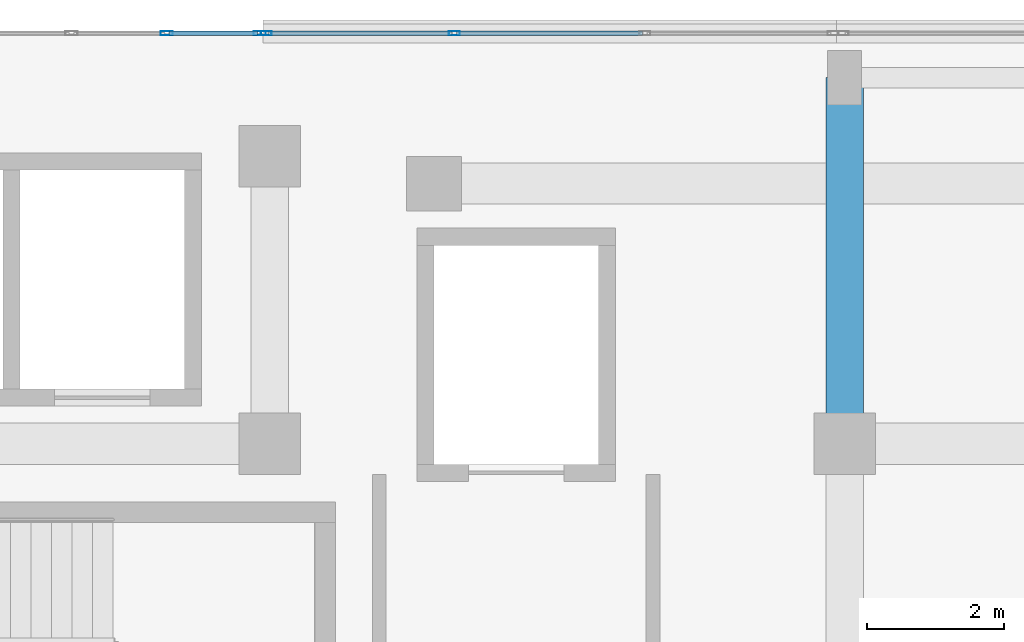
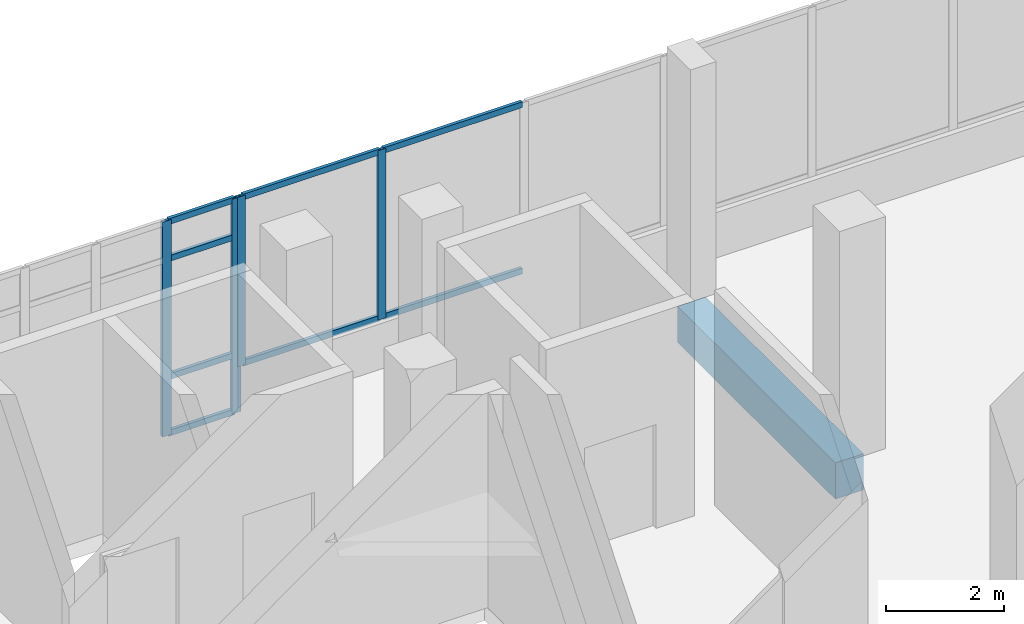
# One storey, part 84 of 168: 12 members, 1 beam, 2 elements without a shape of their own.
"""IFC4 building model written with IfcOpenShell, lengths in metres."""

from ifc_helpers import new_model, si_unit, direction, frame, origin, origin_2d, place, context, subcontext, project, spatial, rectangle, hollow_rectangle, extrude, material, material_profile, profile_set, type_object, element, aggregate, save


model = new_model("IFC4")

# Units and contexts
model_context = context("Model", 3, precision=1e-05, world=origin(), true_north=direction((0.0, 1.0)))
body_context = subcontext(model_context, "Body", "Model", "MODEL_VIEW")
ifc_project = project(units=[si_unit("LENGTHUNIT", "METRE"), si_unit("AREAUNIT", "SQUARE_METRE"), si_unit("VOLUMEUNIT", "CUBIC_METRE"), si_unit("PLANEANGLEUNIT", "RADIAN"), si_unit("MASSUNIT", "GRAM", prefix="KILO")], contexts=[model_context])

# Site, building, storey
site_placement = place(None, origin())
site = spatial("IfcSite", under=ifc_project, at=site_placement, CompositionType="ELEMENT")
building_placement = place(site_placement, origin())
building = spatial("IfcBuilding", under=site, at=building_placement, Name="Selatvlak General Hospital", CompositionType="ELEMENT")
storey_placement = place(building_placement, frame((0.0, 0.0, 5.39990234375)))
storey = spatial("IfcBuildingStorey", under=building, at=storey_placement, Name="L01", CompositionType="ELEMENT", Elevation=5.39990234375)

# Beam
ifc_material_1 = material(Name="Concrete C40/50", Category="concrete")
ifc_material_profile_1 = material_profile(ifc_material_1, rectangle(XDim=0.550048828125, YDim=0.75, at=origin_2d()), Name="RC-BM 550x750")
ifc_profile_set_1 = profile_set([ifc_material_profile_1], Name="Concrete C40/50")
beam_type = type_object("IfcBeamType", Name="BM-G02", PredefinedType="BEAM", material=ifc_profile_set_1)
beam_placement = place(storey_placement, frame((64.800048828125, 114.0, -0.69482421875), z_axis=(0.0, 1.0, 0.0), x_axis=(-1.0, 0.0, 0.0)))
element("IfcBeam", 1, at=beam_placement, inside=storey, type_object=beam_type, Name="Beam BMR-L01-0585", PredefinedType="BEAM", context=body_context, shape_type="SweptSolid", body=[
    extrude(rectangle(XDim=0.550048828125, YDim=0.75, at=origin_2d()), origin(), (0.0, 0.0, 1.0), 5.35009765625),
])

# Curtain wall, members
ifc_material_2 = material(Name="Solar-control Low-E double glazing", Category="glass")
curtain_wall_type_1 = type_object("IfcCurtainWallType", Name="CW-CW-02", PredefinedType="USERDEFINED", material=ifc_material_2)
curtain_wall_1_placement = place(storey_placement, origin())
curtain_wall_1 = element("IfcCurtainWall", 2, at=curtain_wall_1_placement, inside=storey, type_object=curtain_wall_type_1, Name="Glazed facade curtain wall CW-L01-0117", ObjectType="UNITISED CURTAIN WALL", PredefinedType="USERDEFINED")
ifc_material_3 = material(Name="Dark anodised aluminium mullion", Category="aluminium")
ifc_material_profile_2 = material_profile(ifc_material_3, hollow_rectangle(XDim=0.06494140625, YDim=0.159912109375, WallThickness=0.00390625, at=origin_2d()), Name="AL-MUL 65x160x4")
ifc_profile_set_2 = profile_set([ifc_material_profile_2], Name="Dark anodised aluminium mullion")
member_type_1 = type_object("IfcMemberType", Name="CWM-01", PredefinedType="MULLION", material=ifc_profile_set_2)
member_1_placement = place(storey_placement, frame((56.347412109375, 119.9990234375, 0.940185546875), z_axis=(0.0, 0.0, 1.0), x_axis=(0.0, 1.0, 0.0)))
member_1 = element("IfcMember", 3, at=member_1_placement, type_object=member_type_1, Name="CW-02 mullion 1", PredefinedType="MULLION", context=body_context, shape_type="SweptSolid", body=[
    extrude(hollow_rectangle(XDim=0.06494140625, YDim=0.159912109375, WallThickness=0.00390625, at=origin_2d()), origin(), (0.0, 0.0, 1.0), 3.5048828125),
])
member_2_placement = place(storey_placement, frame((59.098388671875, 119.9990234375, 0.940185546875), z_axis=(0.0, 0.0, 1.0), x_axis=(0.0, 1.0, 0.0)))
member_2 = element("IfcMember", 4, at=member_2_placement, type_object=member_type_1, Name="CW-02 mullion 2", PredefinedType="MULLION", context=body_context, shape_type="SweptSolid", body=[
    extrude(hollow_rectangle(XDim=0.06494140625, YDim=0.159912109375, WallThickness=0.00390625, at=origin_2d()), origin(), (0.0, 0.0, 1.0), 3.5048828125),
])

curtain_wall_type_2 = type_object("IfcCurtainWallType", Name="CW-CW-04", PredefinedType="USERDEFINED", material=ifc_material_2)
curtain_wall_2_placement = place(storey_placement, origin())
curtain_wall_2 = element("IfcCurtainWall", 5, at=curtain_wall_2_placement, inside=storey, type_object=curtain_wall_type_2, Name="Glazed facade curtain wall CW-L01-0116", ObjectType="STICK GLAZING WALL", PredefinedType="USERDEFINED")
ifc_material_profile_3 = material_profile(ifc_material_3, hollow_rectangle(XDim=0.06494140625, YDim=0.179931640625, WallThickness=0.00439453125, at=origin_2d()), Name="AL-MUL 65x180x4.5")
ifc_profile_set_3 = profile_set([ifc_material_profile_3], Name="Dark anodised aluminium mullion")
member_type_2 = type_object("IfcMemberType", Name="CWM-02", PredefinedType="MULLION", material=ifc_profile_set_3)
member_3_placement = place(storey_placement, frame((54.893310546875, 119.9990234375, 0.0), z_axis=(0.0, 0.0, 1.0), x_axis=(0.0, 1.0, 0.0)))
member_3 = element("IfcMember", 6, at=member_3_placement, type_object=member_type_2, Name="CW-04 mullion 6", PredefinedType="MULLION", context=body_context, shape_type="SweptSolid", body=[
    extrude(hollow_rectangle(XDim=0.06494140625, YDim=0.179931640625, WallThickness=0.00439453125, at=origin_2d()), origin(), (0.0, 0.0, 1.0), 4.445068359375),
])
member_4_placement = place(storey_placement, frame((56.25244140625, 119.9990234375, 0.0), z_axis=(0.0, 0.0, 1.0), x_axis=(0.0, 1.0, 0.0)))
member_4 = element("IfcMember", 7, at=member_4_placement, type_object=member_type_2, Name="CW-04 mullion 7", PredefinedType="MULLION", context=body_context, shape_type="SweptSolid", body=[
    extrude(hollow_rectangle(XDim=0.06494140625, YDim=0.179931640625, WallThickness=0.00439453125, at=origin_2d()), origin(), (0.0, 0.0, 1.0), 4.445068359375),
])
ifc_material_profile_4 = material_profile(ifc_material_3, hollow_rectangle(XDim=0.06494140625, YDim=0.1201171875, WallThickness=0.00390625, at=origin_2d()), Name="AL-TRN 65x120x4")
ifc_profile_set_4 = profile_set([ifc_material_profile_4], Name="Dark anodised aluminium mullion")
member_type_3 = type_object("IfcMemberType", Name="CWT-01", PredefinedType="USERDEFINED", material=ifc_profile_set_4)
member_5_placement = place(storey_placement, frame((54.92578125, 119.9990234375, 0.03271484375), z_axis=(1.0, 0.0, 0.0), x_axis=(0.0, 1.0, 0.0)))
member_5 = element("IfcMember", 8, at=member_5_placement, type_object=member_type_3, Name="CW-04 transom 6.1", ObjectType="TRANSOM", PredefinedType="USERDEFINED", context=body_context, shape_type="SweptSolid", body=[
    extrude(hollow_rectangle(XDim=0.06494140625, YDim=0.1201171875, WallThickness=0.00390625, at=origin_2d()), origin(), (0.0, 0.0, 1.0), 1.294189453125),
])
member_6_placement = place(storey_placement, frame((54.92578125, 119.9990234375, 1.2001953125), z_axis=(1.0, 0.0, 0.0), x_axis=(0.0, 1.0, 0.0)))
member_6 = element("IfcMember", 9, at=member_6_placement, type_object=member_type_3, Name="CW-04 transom 6.2", ObjectType="TRANSOM", PredefinedType="USERDEFINED", context=body_context, shape_type="SweptSolid", body=[
    extrude(hollow_rectangle(XDim=0.06494140625, YDim=0.1201171875, WallThickness=0.00390625, at=origin_2d()), origin(), (0.0, 0.0, 1.0), 1.294189453125),
])
member_7_placement = place(storey_placement, frame((54.92578125, 119.9990234375, 3.64501953125), z_axis=(1.0, 0.0, 0.0), x_axis=(0.0, 1.0, 0.0)))
member_7 = element("IfcMember", 10, at=member_7_placement, type_object=member_type_3, Name="CW-04 transom 6.3", ObjectType="TRANSOM", PredefinedType="USERDEFINED", context=body_context, shape_type="SweptSolid", body=[
    extrude(hollow_rectangle(XDim=0.06494140625, YDim=0.1201171875, WallThickness=0.00390625, at=origin_2d()), origin(), (0.0, 0.0, 1.0), 1.294189453125),
])
member_8_placement = place(storey_placement, frame((54.92578125, 119.9990234375, 4.41259765625), z_axis=(1.0, 0.0, 0.0), x_axis=(0.0, 1.0, 0.0)))
member_8 = element("IfcMember", 11, at=member_8_placement, type_object=member_type_3, Name="CW-04 transom 6.4", ObjectType="TRANSOM", PredefinedType="USERDEFINED", context=body_context, shape_type="SweptSolid", body=[
    extrude(hollow_rectangle(XDim=0.06494140625, YDim=0.1201171875, WallThickness=0.00390625, at=origin_2d()), origin(), (0.0, 0.0, 1.0), 1.294189453125),
])
aggregate(curtain_wall_2, [member_3, member_4, member_5, member_6, member_7, member_8])

# Member
member_9_placement = place(storey_placement, frame((56.3798828125, 119.9990234375, 0.97265625), z_axis=(1.0, 0.0, 0.0), x_axis=(0.0, 1.0, 0.0)))
member_9 = element("IfcMember", 12, at=member_9_placement, type_object=member_type_3, Name="CW-02 transom 1.1", ObjectType="TRANSOM", PredefinedType="USERDEFINED", context=body_context, shape_type="SweptSolid", body=[
    extrude(hollow_rectangle(XDim=0.06494140625, YDim=0.1201171875, WallThickness=0.00390625, at=origin_2d()), origin(), (0.0, 0.0, 1.0), 2.68603515625),
])

member_10_placement = place(storey_placement, frame((56.3798828125, 119.9990234375, 4.41259765625), z_axis=(1.0, 0.0, 0.0), x_axis=(0.0, 1.0, 0.0)))
member_10 = element("IfcMember", 13, at=member_10_placement, type_object=member_type_3, Name="CW-02 transom 1.2", ObjectType="TRANSOM", PredefinedType="USERDEFINED", context=body_context, shape_type="SweptSolid", body=[
    extrude(hollow_rectangle(XDim=0.06494140625, YDim=0.1201171875, WallThickness=0.00390625, at=origin_2d()), origin(), (0.0, 0.0, 1.0), 2.68603515625),
])

member_11_placement = place(storey_placement, frame((59.130859375, 119.9990234375, 0.97265625), z_axis=(1.0, 0.0, 0.0), x_axis=(0.0, 1.0, 0.0)))
member_11 = element("IfcMember", 14, at=member_11_placement, type_object=member_type_3, Name="CW-02 transom 2.1", ObjectType="TRANSOM", PredefinedType="USERDEFINED", context=body_context, shape_type="SweptSolid", body=[
    extrude(hollow_rectangle(XDim=0.06494140625, YDim=0.1201171875, WallThickness=0.00390625, at=origin_2d()), origin(), (0.0, 0.0, 1.0), 2.71826171875),
])

member_12_placement = place(storey_placement, frame((59.130859375, 119.9990234375, 4.41259765625), z_axis=(1.0, 0.0, 0.0), x_axis=(0.0, 1.0, 0.0)))
member_12 = element("IfcMember", 15, at=member_12_placement, type_object=member_type_3, Name="CW-02 transom 2.2", ObjectType="TRANSOM", PredefinedType="USERDEFINED", context=body_context, shape_type="SweptSolid", body=[
    extrude(hollow_rectangle(XDim=0.06494140625, YDim=0.1201171875, WallThickness=0.00390625, at=origin_2d()), origin(), (0.0, 0.0, 1.0), 2.71826171875),
])

aggregate(curtain_wall_1, [member_1, member_2, member_9, member_10, member_11, member_12])

save(model, "model.ifc")
